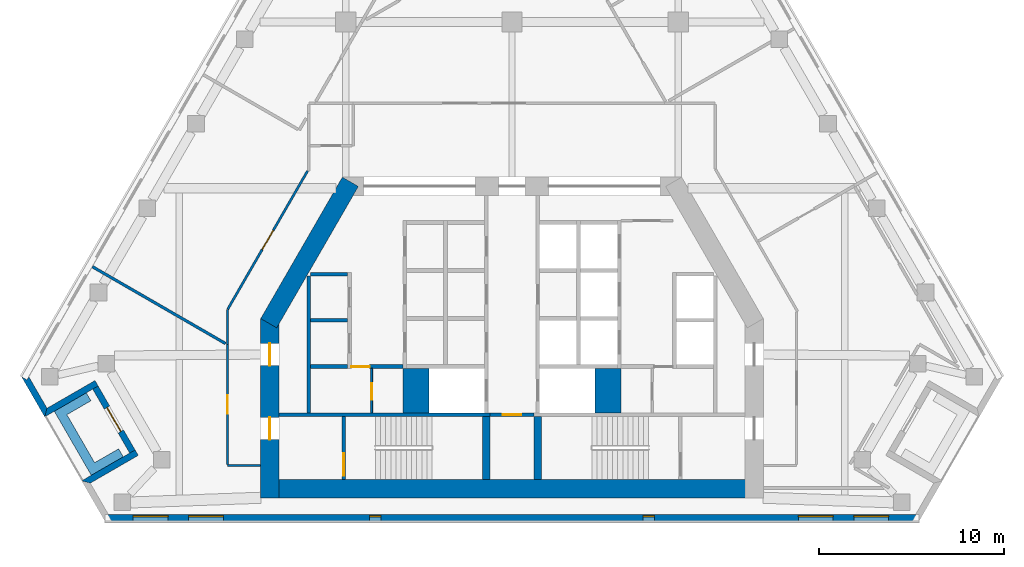
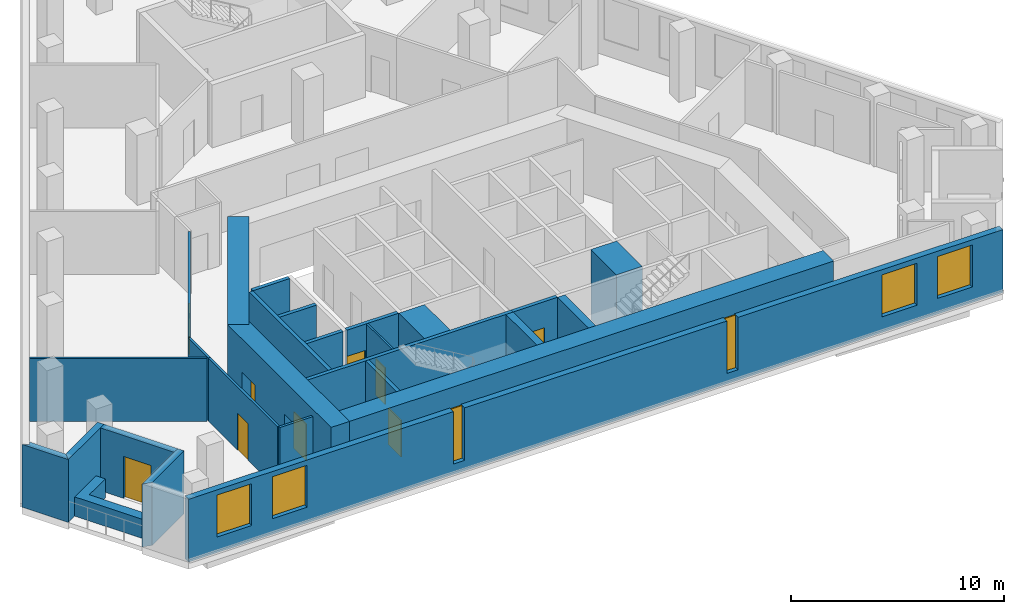
# One storey, part 2 of 8: 27 walls, 9 doors, 6 windows, 15 openings.
"""IFC4 building model written with IfcOpenShell, lengths in metres."""

from ifc_helpers import new_model, si_unit, direction, frame, frame_2d, origin, place, context, subcontext, project, spatial, polyline, rectangle, outline, extrude, material, layer, layer_set, type_object, element, fill, save


model = new_model("IFC4")

# Units and contexts
model_context = context("Model", 3, precision=1e-05, world=origin(), true_north=direction((0.0, 1.0)))
body_context = subcontext(model_context, "Body", "Model", "MODEL_VIEW")
ifc_project = project(units=[si_unit("LENGTHUNIT", "METRE"), si_unit("AREAUNIT", "SQUARE_METRE"), si_unit("VOLUMEUNIT", "CUBIC_METRE"), si_unit("PLANEANGLEUNIT", "RADIAN"), si_unit("MASSUNIT", "GRAM", prefix="KILO")], contexts=[model_context])

# Site, building, storey
site_placement = place(None, origin())
site = spatial("IfcSite", under=ifc_project, at=site_placement, CompositionType="ELEMENT")
building_placement = place(site_placement, origin())
building = spatial("IfcBuilding", under=site, at=building_placement, Name="Fogline Exchange Tower", CompositionType="ELEMENT")
storey_placement = place(building_placement, frame((0.0, 0.0, 243.5)))
storey = spatial("IfcBuildingStorey", under=building, at=storey_placement, Name="L55", CompositionType="ELEMENT", Elevation=243.5)

# Wall, opening, door
ifc_material_1 = material(Name="Blockwork partition", Category="masonry")
ifc_layer_1 = layer(ifc_material_1, 0.10009765625)
ifc_layer_set_1 = layer_set([ifc_layer_1], Name="CW10")
wall_type_1 = type_object("IfcWallType", Name="CW10", PredefinedType="PARTITIONING", material=ifc_layer_set_1)
wall_1_placement = place(storey_placement, frame((-7.60009765625, 5.85009765625, 0.0), z_axis=(0.0, 0.0, 1.0), x_axis=(0.0, 1.0, 0.0)))
wall_1 = element("IfcWall", 1, at=wall_1_placement, inside=storey, type_object=wall_type_1, Name="WC partition", PredefinedType="PARTITIONING", context=body_context, shape_type="SweptSolid", body=[
    extrude(rectangle(XDim=2.39990234375, YDim=0.10009765625, at=frame_2d((1.199951171875, 0.0))), origin(), (0.0, 0.0, 1.0), 3.60009765625),
])
opening_1_placement = place(wall_1_placement, frame((0.699951171875, 0.0, 0.0)))
opening_1 = element("IfcOpeningElement", 2, at=opening_1_placement, cuts=wall_1, Name="Opening T17-C012", PredefinedType="OPENING", context=body_context, shape_type="SweptSolid", body=[
    extrude(rectangle(XDim=0.89990234375, YDim=2.10009765625, at=frame_2d((0.449951171875, 1.050048828125))), frame((0.0, 0.06005859375, 0.0), z_axis=(0.0, -1.0, 0.0), x_axis=(1.0, 0.0, 0.0)), (0.0, 0.0, 1.0), 0.1201171875),
])
ifc_material_2 = material(Name="Steel and timber fire door", Category="steel")
door_type_1 = type_object("IfcDoorType", Name="D-CS1", OperationType="SINGLE_SWING_RIGHT", PredefinedType="DOOR", material=ifc_material_2)
door_1_placement = place(opening_1_placement, frame((0.89990234375, 0.0, 0.0), z_axis=(0.0, 0.0, 1.0), x_axis=(-1.0, 0.0, 0.0)))
door_1 = element("IfcDoor", 3, at=door_1_placement, inside=storey, type_object=door_type_1, Name="Door to Cleaner's Store", OperationType="SINGLE_SWING_RIGHT", OverallHeight=2.10009765625, OverallWidth=0.89990234375, PredefinedType="DOOR", context=body_context, shape_type="SweptSolid", body=[
    extrude(rectangle(XDim=0.89990234375, YDim=2.10009765625, at=frame_2d((0.449951171875, 1.050048828125))), frame((0.0, 0.02490234375, 0.0), z_axis=(0.0, -1.0, 0.0), x_axis=(1.0, 0.0, 0.0)), (0.0, 0.0, 1.0), 0.050048828125),
])
fill(opening_1, door_1)

# Walls
ifc_material_3 = material(Name="Concrete C60", Category="concrete")
ifc_layer_2 = layer(ifc_material_3, 1.39990234375)
ifc_layer_set_2 = layer_set([ifc_layer_2], Name="CW140")
wall_type_2 = type_object("IfcWallType", Name="CW140", PredefinedType="SOLIDWALL", material=ifc_layer_set_2)
for number, where, z_axis, x_axis, name in (
    (4, (-5.199951171875, 5.85009765625, -0.39990234375), (0.0, 0.0, 1.0), (0.0, 1.0, 0.0), "Lift shaft block wall"),
    (5, (5.199951171875, 5.85009765625, -0.39990234375), (0.0, 0.0, 1.0), (0.0, 1.0, 0.0), "Lift shaft block wall"),
):
    element("IfcWall", number, at=place(storey_placement, frame(where, z_axis=z_axis, x_axis=x_axis)), inside=storey, type_object=wall_type_2, Name=name, PredefinedType="SOLIDWALL", context=body_context, shape_type="SweptSolid", body=[
        extrude(rectangle(XDim=2.39990234375, YDim=1.39990234375, at=frame_2d((1.199951171875, 0.0))), origin(), (0.0, 0.0, 1.0), 4.0),
    ])
ifc_material_4 = material(Name="Concrete C40", Category="concrete")
ifc_layer_3 = layer(ifc_material_4, 0.199951171875)
ifc_layer_set_3 = layer_set([ifc_layer_3], Name="CW20")
wall_type_3 = type_object("IfcWallType", Name="CW20", PredefinedType="SOLIDWALL", material=ifc_layer_set_3)
wall_2_placement = place(storey_placement, frame((-11.0, 5.85009765625, 0.0), z_axis=(0.0, 0.0, 1.0), x_axis=(0.0, 1.0, 0.0)))
element("IfcWall", 6, at=wall_2_placement, inside=storey, type_object=wall_type_3, Name="Service room wall", PredefinedType="SOLIDWALL", context=body_context, shape_type="SweptSolid", body=[
    extrude(rectangle(XDim=7.39990234375, YDim=0.199951171875, at=frame_2d((3.699951171875, 0.0))), origin(), (0.0, 0.0, 1.0), 3.60009765625),
])
wall_3_placement = place(storey_placement, frame((-10.89990234375, 10.85009765625, 0.0), z_axis=(0.0, 0.0, 1.0), x_axis=(1.0, 0.0, 0.0)))
element("IfcWall", 7, at=wall_3_placement, inside=storey, type_object=wall_type_3, Name="Service room wall", PredefinedType="SOLIDWALL", context=body_context, shape_type="SweptSolid", body=[
    extrude(rectangle(XDim=2.0, YDim=0.199951171875, at=frame_2d((1.0, 0.0))), origin(), (0.0, 0.0, 1.0), 3.60009765625),
])

# Wall, opening, door
wall_4_placement = place(storey_placement, frame((-8.699951171875, 8.35009765625, 0.0), z_axis=(0.0, 0.0, 1.0), x_axis=(1.0, 0.0, 0.0)))
wall_4 = element("IfcWall", 8, at=wall_4_placement, inside=storey, type_object=wall_type_3, Name="WC wall", PredefinedType="SOLIDWALL", context=body_context, shape_type="SweptSolid", body=[
    extrude(rectangle(XDim=2.800048828125, YDim=0.199951171875, at=frame_2d((1.39990234375, 0.0))), origin(), (0.0, 0.0, 1.0), 3.60009765625),
])
opening_2_placement = place(wall_4_placement, origin())
opening_2 = element("IfcOpeningElement", 9, at=opening_2_placement, cuts=wall_4, Name="Opening T17-C011", PredefinedType="OPENING", context=body_context, shape_type="SweptSolid", body=[
    extrude(rectangle(XDim=1.0, YDim=2.10009765625, at=frame_2d((0.5, 1.050048828125))), frame((0.0, 0.10986328125, 0.0), z_axis=(0.0, -1.0, 0.0), x_axis=(1.0, 0.0, 0.0)), (0.0, 0.0, 1.0), 0.219970703125),
])
door_type_2 = type_object("IfcDoorType", Name="D-WC1", OperationType="SINGLE_SWING_LEFT", PredefinedType="DOOR", material=ifc_material_2)
door_2_placement = place(opening_2_placement, frame((1.0, 0.0, 0.0), z_axis=(0.0, 0.0, 1.0), x_axis=(-1.0, 0.0, 0.0)))
door_2 = element("IfcDoor", 10, at=door_2_placement, inside=storey, type_object=door_type_2, Name="Door to Men's WC", OperationType="SINGLE_SWING_LEFT", OverallHeight=2.10009765625, OverallWidth=1.0, PredefinedType="DOOR", context=body_context, shape_type="SweptSolid", body=[
    extrude(rectangle(XDim=1.0, YDim=2.10009765625, at=frame_2d((0.5, 1.050048828125))), frame((0.0, 0.02490234375, 0.0), z_axis=(0.0, -1.0, 0.0), x_axis=(1.0, 0.0, 0.0)), (0.0, 0.0, 1.0), 0.050048828125),
])
fill(opening_2, door_2)

# Wall
ifc_layer_4 = layer(ifc_material_4, 0.199951171875)
ifc_layer_set_4 = layer_set([ifc_layer_4], Name="CW20R")
wall_type_4 = type_object("IfcWallType", Name="CW20R", PredefinedType="SOLIDWALL", material=ifc_layer_set_4)
wall_5_placement = place(storey_placement, frame((-12.60009765625, 5.75, -0.39990234375), z_axis=(0.0, 0.0, 1.0), x_axis=(1.0, 0.0, 0.0)))
element("IfcWall", 11, at=wall_5_placement, inside=storey, type_object=wall_type_4, Name="Stair enclosure wall", PredefinedType="SOLIDWALL", context=body_context, shape_type="SweptSolid", body=[
    extrude(rectangle(XDim=11.400146484375, YDim=0.199951171875, at=frame_2d((5.7001953125, 0.0))), origin(), (0.0, 0.0, 1.0), 4.0),
])

# Wall, opening, door
wall_6_placement = place(storey_placement, frame((-1.199951171875, 5.75, -0.39990234375), z_axis=(0.0, 0.0, 1.0), x_axis=(1.0, 0.0, 0.0)))
wall_6 = element("IfcWall", 12, at=wall_6_placement, inside=storey, type_object=wall_type_4, Name="Stair enclosure wall", PredefinedType="SOLIDWALL", context=body_context, shape_type="SweptSolid", body=[
    extrude(rectangle(XDim=2.39990234375, YDim=0.199951171875, at=frame_2d((1.199951171875, 0.0))), origin(), (0.0, 0.0, 1.0), 4.0),
])
opening_3_placement = place(wall_6_placement, frame((0.699951171875, 0.0, 0.39990234375)))
opening_3 = element("IfcOpeningElement", 13, at=opening_3_placement, cuts=wall_6, Name="Opening T17-C010", PredefinedType="OPENING", context=body_context, shape_type="SweptSolid", body=[
    extrude(rectangle(XDim=1.0, YDim=2.10009765625, at=frame_2d((0.5, 1.050048828125))), frame((0.0, 0.10986328125, 0.0), z_axis=(0.0, -1.0, 0.0), x_axis=(1.0, 0.0, 0.0)), (0.0, 0.0, 1.0), 0.219970703125),
])
door_type_3 = type_object("IfcDoorType", Name="D-RM1", OperationType="SINGLE_SWING_LEFT", PredefinedType="DOOR", material=ifc_material_2)
door_3_placement = place(opening_3_placement, frame((1.0, 0.0, 0.0), z_axis=(0.0, 0.0, 1.0), x_axis=(-1.0, 0.0, 0.0)))
door_3 = element("IfcDoor", 14, at=door_3_placement, inside=storey, type_object=door_type_3, Name="Door to Plant Room", OperationType="SINGLE_SWING_RIGHT", OverallHeight=2.10009765625, OverallWidth=1.0, PredefinedType="DOOR", context=body_context, shape_type="SweptSolid", body=[
    extrude(rectangle(XDim=1.0, YDim=2.10009765625, at=frame_2d((0.5, 1.050048828125))), frame((0.0, 0.02490234375, 0.0), z_axis=(0.0, -1.0, 0.0), x_axis=(1.0, 0.0, 0.0)), (0.0, 0.0, 1.0), 0.050048828125),
])
fill(opening_3, door_3)

wall_7_placement = place(storey_placement, frame((-9.10009765625, 2.25, -0.39990234375), z_axis=(0.0, 0.0, 1.0), x_axis=(0.0, 1.0, 0.0)))
wall_7 = element("IfcWall", 15, at=wall_7_placement, inside=storey, type_object=wall_type_4, Name="Stair enclosure wall", PredefinedType="SOLIDWALL", context=body_context, shape_type="SweptSolid", body=[
    extrude(rectangle(XDim=3.39990234375, YDim=0.199951171875, at=frame_2d((1.699951171875, 0.0))), origin(), (0.0, 0.0, 1.0), 4.0),
])
opening_4_placement = place(wall_7_placement, frame((0.199951171875, 0.0, 0.39990234375)))
opening_4 = element("IfcOpeningElement", 16, at=opening_4_placement, cuts=wall_7, Name="Opening T17-C014", PredefinedType="OPENING", context=body_context, shape_type="SweptSolid", body=[
    extrude(rectangle(XDim=1.199951171875, YDim=2.10009765625, at=frame_2d((0.60009765625, 1.050048828125))), frame((0.0, 0.10986328125, 0.0), z_axis=(0.0, -1.0, 0.0), x_axis=(1.0, 0.0, 0.0)), (0.0, 0.0, 1.0), 0.219970703125),
])
door_type_4 = type_object("IfcDoorType", Name="D-ST1", OperationType="SINGLE_SWING_LEFT", PredefinedType="DOOR", material=ifc_material_2)
door_4_placement = place(opening_4_placement, frame((1.199951171875, 0.0, 0.0), z_axis=(0.0, 0.0, 1.0), x_axis=(-1.0, 0.0, 0.0)))
door_4 = element("IfcDoor", 17, at=door_4_placement, inside=storey, type_object=door_type_4, Name="Stair door ST1", OperationType="SINGLE_SWING_RIGHT", OverallHeight=2.10009765625, OverallWidth=1.199951171875, PredefinedType="DOOR", context=body_context, shape_type="SweptSolid", body=[
    extrude(rectangle(XDim=1.199951171875, YDim=2.10009765625, at=frame_2d((0.60009765625, 1.050048828125))), frame((0.0, 0.02490234375, 0.0), z_axis=(0.0, -1.0, 0.0), x_axis=(1.0, 0.0, 0.0)), (0.0, 0.0, 1.0), 0.050048828125),
])
fill(opening_4, door_4)

# Walls
ifc_layer_5 = layer(ifc_material_4, 0.199951171875)
ifc_layer_set_5 = layer_set([ifc_layer_5], Name="CW20S")
wall_type_5 = type_object("IfcWallType", Name="CW20S", PredefinedType="SOLIDWALL", material=ifc_layer_set_5)
for number, where, z_axis, x_axis, name in (
    (18, (-10.89990234375, 8.35009765625, -0.39990234375), (0.0, 0.0, 1.0), (1.0, 0.0, 0.0), "Lift shaft wall"),
    (19, (-10.89990234375, 13.35009765625, -0.39990234375), (0.0, 0.0, 1.0), (1.0, 0.0, 0.0), "Lift shaft wall"),
):
    element("IfcWall", number, at=place(storey_placement, frame(where, z_axis=z_axis, x_axis=x_axis)), inside=storey, type_object=wall_type_5, Name=name, PredefinedType="SOLIDWALL", context=body_context, shape_type="SweptSolid", body=[
        extrude(rectangle(XDim=2.0, YDim=0.199951171875, at=frame_2d((1.0, 0.0))), origin(), (0.0, 0.0, 1.0), 4.0),
    ])
ifc_layer_6 = layer(ifc_material_4, 0.39990234375)
ifc_layer_set_6 = layer_set([ifc_layer_6], Name="CW40R")
wall_type_6 = type_object("IfcWallType", Name="CW40R", PredefinedType="SOLIDWALL", material=ifc_layer_set_6)
for number, where, z_axis, x_axis, name in (
    (20, (-1.39990234375, 2.25, -0.39990234375), (0.0, 0.0, 1.0), (0.0, 1.0, 0.0), "Stair and lift shaft wall"),
    (21, (1.39990234375, 2.25, -0.39990234375), (0.0, 0.0, 1.0), (0.0, 1.0, 0.0), "Stair and lift shaft wall"),
):
    element("IfcWall", number, at=place(storey_placement, frame(where, z_axis=z_axis, x_axis=x_axis)), inside=storey, type_object=wall_type_6, Name=name, PredefinedType="SOLIDWALL", context=body_context, shape_type="SweptSolid", body=[
        extrude(rectangle(XDim=3.39990234375, YDim=0.39990234375, at=frame_2d((1.699951171875, 0.0))), origin(), (0.0, 0.0, 1.0), 4.0),
    ])
ifc_material_5 = material(Name="Brick masonry", Category="masonry")
ifc_layer_7 = layer(ifc_material_5, 0.340087890625)
ifc_layer_set_7 = layer_set([ifc_layer_7], Name="FW1")
wall_type_7 = type_object("IfcWallType", Name="FW1", PredefinedType="SOLIDWALL", material=ifc_layer_set_7)
wall_8_placement = place(storey_placement, origin())
element("IfcWall", 22, at=wall_8_placement, inside=storey, type_object=wall_type_7, Name="Brick wall L55 SW-c1", PredefinedType="SOLIDWALL", context=body_context, shape_type="SweptSolid", body=[
    extrude(outline(polyline([(-25.291748046875, 5.6279296875), (-26.542724609375, 7.794921875), (-26.54248046875, 7.79541015625), (-26.24755859375, 7.625), (-26.149169921875, 7.79541015625), (-25.166748046875, 6.09375), (-25.29150390625, 5.6279296875), (-25.291748046875, 5.6279296875)])), origin(), (0.0, 0.0, 1.0), 3.60009765625),
])
wall_9_placement = place(storey_placement, origin())
element("IfcWall", 23, at=wall_9_placement, inside=storey, type_object=wall_type_7, Name="Brick wall L55 SW-s1", PredefinedType="SOLIDWALL", context=body_context, shape_type="SweptSolid", body=[
    extrude(outline(polyline([(-22.569091796875, 7.594482421875), (-22.3984375, 7.298828125), (-22.693359375, 7.128662109375), (-25.292236328125, 5.628173828125), (-25.29248046875, 5.62841796875), (-25.167724609375, 6.093994140625), (-22.569091796875, 7.594482421875)])), origin(), (0.0, 0.0, 1.0), 3.60009765625),
])

# Wall, opening, door
wall_10_placement = place(storey_placement, frame((-22.54638671875, 7.214111328125, 0.0), z_axis=(0.0, 0.0, 1.0), x_axis=(0.49999894854, -0.866026010844, 0.0)))
wall_10 = element("IfcWall", 24, at=wall_10_placement, inside=storey, type_object=wall_type_7, Name="Brick wall L55 SW-bk", PredefinedType="SOLIDWALL", context=body_context, shape_type="SweptSolid", body=[
    extrude(rectangle(XDim=4.0, YDim=0.340087890625, at=frame_2d((2.0, 0.0))), origin(), (0.0, 0.0, 1.0), 3.60009765625),
])
opening_5_placement = place(wall_10_placement, frame((1.25, 0.0, 0.0)))
opening_5 = element("IfcOpeningElement", 25, at=opening_5_placement, cuts=wall_10, Name="Opening T17-E021", PredefinedType="OPENING", context=body_context, shape_type="SweptSolid", body=[
    extrude(rectangle(XDim=1.5, YDim=2.39990234375, at=frame_2d((0.75, 1.199951171875))), frame((0.0, 0.18017578125, 0.0), z_axis=(0.0, -1.0, 0.0), x_axis=(1.0, 0.0, 0.0)), (0.0, 0.0, 1.0), 0.360107421875),
])
ifc_material_6 = material(Name="Aluminium and glass", Category="aluminium")
door_type_5 = type_object("IfcDoorType", Name="ED4", OperationType="SINGLE_SWING_LEFT", PredefinedType="DOOR", material=ifc_material_6)
door_5_placement = place(opening_5_placement, frame((1.5, 0.0, 0.0), z_axis=(0.0, 0.0, 1.0), x_axis=(-1.0, 0.0, 0.0)))
door_5 = element("IfcDoor", 26, at=door_5_placement, inside=storey, type_object=door_type_5, Name="Balcony door L55 SW", OperationType="DOUBLE_DOOR_SINGLE_SWING", OverallHeight=2.39990234375, OverallWidth=1.5, PredefinedType="DOOR", context=body_context, shape_type="SweptSolid", body=[
    extrude(rectangle(XDim=1.5, YDim=2.39990234375, at=frame_2d((0.75, 1.199951171875))), frame((0.0, 0.02490234375, 0.0), z_axis=(0.0, -1.0, 0.0), x_axis=(1.0, 0.0, 0.0)), (0.0, 0.0, 1.0), 0.050048828125),
])
fill(opening_5, door_5)

# Wall
wall_11_placement = place(storey_placement, origin())
element("IfcWall", 27, at=wall_11_placement, inside=storey, type_object=wall_type_7, Name="Brick wall L55 SW-s2", PredefinedType="SOLIDWALL", context=body_context, shape_type="SweptSolid", body=[
    extrude(outline(polyline([(-23.29296875, 2.1650390625), (-20.694091796875, 3.66552734375), (-20.39892578125, 3.8359375), (-20.228515625, 3.540283203125), (-22.8271484375, 2.0400390625), (-23.29296875, 2.164794921875), (-23.29296875, 2.1650390625)])), origin(), (0.0, 0.0, 1.0), 3.60009765625),
])

# Wall, openings, windows
wall_12_placement = place(storey_placement, frame((-22.041748046875, 0.169921875, 0.0), z_axis=(0.0, 0.0, 1.0), x_axis=(1.0, 0.0, 0.0)))
wall_12 = element("IfcWall", 28, at=wall_12_placement, inside=storey, type_object=wall_type_7, Name="Brick wall L55 S", PredefinedType="SOLIDWALL", context=body_context, shape_type="SweptSolid", body=[
    extrude(rectangle(XDim=44.08349609375, YDim=0.340087890625, at=frame_2d((22.041748046875, 0.0))), origin(), (0.0, 0.0, 1.0), 3.60009765625),
])
opening_6_placement = place(wall_12_placement, frame((1.541748046875, 0.0, 0.89990234375)))
opening_6 = element("IfcOpeningElement", 29, at=opening_6_placement, cuts=wall_12, Name="Opening W1", PredefinedType="OPENING", context=body_context, shape_type="SweptSolid", body=[
    extrude(rectangle(XDim=1.885009765625, YDim=2.39990234375, at=frame_2d((0.9423828125, 1.199951171875))), frame((0.0, 0.18017578125, 0.0), z_axis=(0.0, -1.0, 0.0), x_axis=(1.0, 0.0, 0.0)), (0.0, 0.0, 1.0), 0.360107421875),
])
opening_7_placement = place(wall_12_placement, frame((4.541748046875, 0.0, 0.89990234375)))
opening_7 = element("IfcOpeningElement", 30, at=opening_7_placement, cuts=wall_12, Name="Opening W1", PredefinedType="OPENING", context=body_context, shape_type="SweptSolid", body=[
    extrude(rectangle(XDim=1.885009765625, YDim=2.39990234375, at=frame_2d((0.9423828125, 1.199951171875))), frame((0.0, 0.18017578125, 0.0), z_axis=(0.0, -1.0, 0.0), x_axis=(1.0, 0.0, 0.0)), (0.0, 0.0, 1.0), 0.360107421875),
])
opening_8_placement = place(wall_12_placement, frame((37.541748046875, 0.0, 0.89990234375)))
opening_8 = element("IfcOpeningElement", 31, at=opening_8_placement, cuts=wall_12, Name="Opening W1", PredefinedType="OPENING", context=body_context, shape_type="SweptSolid", body=[
    extrude(rectangle(XDim=1.885009765625, YDim=2.39990234375, at=frame_2d((0.9423828125, 1.199951171875))), frame((0.0, 0.18017578125, 0.0), z_axis=(0.0, -1.0, 0.0), x_axis=(1.0, 0.0, 0.0)), (0.0, 0.0, 1.0), 0.360107421875),
])
opening_9_placement = place(wall_12_placement, frame((40.541748046875, 0.0, 0.89990234375)))
opening_9 = element("IfcOpeningElement", 32, at=opening_9_placement, cuts=wall_12, Name="Opening W1", PredefinedType="OPENING", context=body_context, shape_type="SweptSolid", body=[
    extrude(rectangle(XDim=1.885009765625, YDim=2.39990234375, at=frame_2d((0.9423828125, 1.199951171875))), frame((0.0, 0.18017578125, 0.0), z_axis=(0.0, -1.0, 0.0), x_axis=(1.0, 0.0, 0.0)), (0.0, 0.0, 1.0), 0.360107421875),
])
opening_10_placement = place(wall_12_placement, frame((14.341796875, 0.0, 0.60009765625)))
opening_10 = element("IfcOpeningElement", 33, at=opening_10_placement, cuts=wall_12, Name="Opening W5", PredefinedType="OPENING", context=body_context, shape_type="SweptSolid", body=[
    extrude(rectangle(XDim=0.60009765625, YDim=3.0, at=frame_2d((0.300048828125, 1.5))), frame((0.0, 0.18017578125, 0.0), z_axis=(0.0, -1.0, 0.0), x_axis=(1.0, 0.0, 0.0)), (0.0, 0.0, 1.0), 0.360107421875),
])
opening_11_placement = place(wall_12_placement, frame((29.141845703125, 0.0, 0.60009765625)))
opening_11 = element("IfcOpeningElement", 34, at=opening_11_placement, cuts=wall_12, Name="Opening W5", PredefinedType="OPENING", context=body_context, shape_type="SweptSolid", body=[
    extrude(rectangle(XDim=0.60009765625, YDim=3.0, at=frame_2d((0.300048828125, 1.5))), frame((0.0, 0.18017578125, 0.0), z_axis=(0.0, -1.0, 0.0), x_axis=(1.0, 0.0, 0.0)), (0.0, 0.0, 1.0), 0.360107421875),
])
window_type_1 = type_object("IfcWindowType", Name="W1", PartitioningType="SINGLE_PANEL", PredefinedType="WINDOW", material=ifc_material_6)
window_1_placement = place(opening_6_placement, origin())
window_1 = element("IfcWindow", 35, at=window_1_placement, inside=storey, type_object=window_type_1, Name="W1 W1", OverallHeight=2.39990234375, OverallWidth=1.885009765625, PartitioningType="SINGLE_PANEL", PredefinedType="WINDOW", context=body_context, shape_type="SweptSolid", body=[
    extrude(rectangle(XDim=1.885009765625, YDim=2.39990234375, at=frame_2d((0.9423828125, 1.199951171875))), frame((0.0, 0.110107421875, 0.0), z_axis=(0.0, -1.0, 0.0), x_axis=(1.0, 0.0, 0.0)), (0.0, 0.0, 1.0), 0.06005859375),
])
fill(opening_6, window_1)
window_2_placement = place(opening_7_placement, origin())
window_2 = element("IfcWindow", 36, at=window_2_placement, inside=storey, type_object=window_type_1, Name="W1 W1", OverallHeight=2.39990234375, OverallWidth=1.885009765625, PartitioningType="SINGLE_PANEL", PredefinedType="WINDOW", context=body_context, shape_type="SweptSolid", body=[
    extrude(rectangle(XDim=1.885009765625, YDim=2.39990234375, at=frame_2d((0.9423828125, 1.199951171875))), frame((0.0, 0.110107421875, 0.0), z_axis=(0.0, -1.0, 0.0), x_axis=(1.0, 0.0, 0.0)), (0.0, 0.0, 1.0), 0.06005859375),
])
fill(opening_7, window_2)
window_3_placement = place(opening_8_placement, origin())
window_3 = element("IfcWindow", 37, at=window_3_placement, inside=storey, type_object=window_type_1, Name="W1 W1", OverallHeight=2.39990234375, OverallWidth=1.885009765625, PartitioningType="SINGLE_PANEL", PredefinedType="WINDOW", context=body_context, shape_type="SweptSolid", body=[
    extrude(rectangle(XDim=1.885009765625, YDim=2.39990234375, at=frame_2d((0.9423828125, 1.199951171875))), frame((0.0, 0.110107421875, 0.0), z_axis=(0.0, -1.0, 0.0), x_axis=(1.0, 0.0, 0.0)), (0.0, 0.0, 1.0), 0.06005859375),
])
fill(opening_8, window_3)
window_4_placement = place(opening_9_placement, origin())
window_4 = element("IfcWindow", 38, at=window_4_placement, inside=storey, type_object=window_type_1, Name="W1 W1", OverallHeight=2.39990234375, OverallWidth=1.885009765625, PartitioningType="SINGLE_PANEL", PredefinedType="WINDOW", context=body_context, shape_type="SweptSolid", body=[
    extrude(rectangle(XDim=1.885009765625, YDim=2.39990234375, at=frame_2d((0.9423828125, 1.199951171875))), frame((0.0, 0.110107421875, 0.0), z_axis=(0.0, -1.0, 0.0), x_axis=(1.0, 0.0, 0.0)), (0.0, 0.0, 1.0), 0.06005859375),
])
fill(opening_9, window_4)
window_type_2 = type_object("IfcWindowType", Name="W5", PartitioningType="SINGLE_PANEL", PredefinedType="WINDOW", material=ifc_material_6)
window_5_placement = place(opening_10_placement, origin())
window_5 = element("IfcWindow", 39, at=window_5_placement, inside=storey, type_object=window_type_2, Name="W5 W5", OverallHeight=3.0, OverallWidth=0.60009765625, PartitioningType="SINGLE_PANEL", PredefinedType="WINDOW", context=body_context, shape_type="SweptSolid", body=[
    extrude(rectangle(XDim=0.60009765625, YDim=3.0, at=frame_2d((0.300048828125, 1.5))), frame((0.0, 0.110107421875, 0.0), z_axis=(0.0, -1.0, 0.0), x_axis=(1.0, 0.0, 0.0)), (0.0, 0.0, 1.0), 0.06005859375),
])
fill(opening_10, window_5)
window_6_placement = place(opening_11_placement, origin())
window_6 = element("IfcWindow", 40, at=window_6_placement, inside=storey, type_object=window_type_2, Name="W5 W5", OverallHeight=3.0, OverallWidth=0.60009765625, PartitioningType="SINGLE_PANEL", PredefinedType="WINDOW", context=body_context, shape_type="SweptSolid", body=[
    extrude(rectangle(XDim=0.60009765625, YDim=3.0, at=frame_2d((0.300048828125, 1.5))), frame((0.0, 0.110107421875, 0.0), z_axis=(0.0, -1.0, 0.0), x_axis=(1.0, 0.0, 0.0)), (0.0, 0.0, 1.0), 0.06005859375),
])
fill(opening_11, window_6)

# Walls
ifc_material_7 = material(Name="Concrete C30", Category="concrete")
ifc_layer_8 = layer(ifc_material_7, 0.199951171875)
ifc_layer_set_8 = layer_set([ifc_layer_8], Name="PL1")
wall_type_8 = type_object("IfcWallType", Name="PL1", PredefinedType="USERDEFINED", material=ifc_layer_set_8)
wall_13_placement = place(storey_placement, origin())
element("IfcWall", 41, at=wall_13_placement, inside=storey, type_object=wall_type_8, Name="PLANTER balcony L55 SW", ObjectType="PLANTER", PredefinedType="USERDEFINED", context=body_context, shape_type="SweptSolid", body=[
    extrude(outline(polyline([(-21.2900390625, 3.898193359375), (-22.589111328125, 3.148193359375), (-24.089111328125, 5.74609375), (-22.7900390625, 6.49609375), (-23.0400390625, 6.92919921875), (-24.772216796875, 5.92919921875), (-24.522216796875, 5.49609375), (-22.772216796875, 2.465087890625), (-22.339111328125, 2.715087890625), (-22.339111328125, 2.715087890625), (-21.0400390625, 3.465087890625), (-21.2900390625, 3.898193359375)])), origin(), (0.0, 0.0, 1.0), 1.10009765625),
])
ifc_material_8 = material(Name="Plasterboard corridor partition with mineral wool, 2 layers each side")
ifc_layer_9 = layer(ifc_material_8, 0.125)
ifc_layer_set_9 = layer_set([ifc_layer_9], Name="PW2")
wall_type_9 = type_object("IfcWallType", Name="PW2", PredefinedType="PARTITIONING", material=ifc_layer_set_9)
wall_14_placement = place(storey_placement, frame((-15.39990234375, 9.534912109375, 0.0), z_axis=(0.0, 0.0, 1.0), x_axis=(0.0, 1.0, 0.0)))
element("IfcWall", 42, at=wall_14_placement, inside=storey, type_object=wall_type_9, Name="wall-L55-W011", PredefinedType="PARTITIONING", context=body_context, shape_type="SweptSolid", body=[
    extrude(rectangle(XDim=1.892822265625, YDim=0.125, at=frame_2d((0.9462890625, 0.0))), origin(), (0.0, 0.0, 1.0), 3.60009765625),
])

# Wall, opening, door
wall_15_placement = place(storey_placement, frame((-15.384521484375, 11.454833984375, 0.0), z_axis=(0.0, 0.0, 1.0), x_axis=(0.500018289754, 0.866014843933, 0.0)))
wall_15 = element("IfcWall", 43, at=wall_15_placement, inside=storey, type_object=wall_type_9, Name="wall-L55-W012", PredefinedType="PARTITIONING", context=body_context, shape_type="SweptSolid", body=[
    extrude(rectangle(XDim=8.643798828125, YDim=0.125, at=frame_2d((4.32177734375, 0.0))), origin(), (0.0, 0.0, 1.0), 3.60009765625),
])
opening_12_placement = place(wall_15_placement, frame((3.721923828125, 0.0, 0.0)))
opening_12 = element("IfcOpeningElement", 44, at=opening_12_placement, cuts=wall_15, Name="Opening T17-D005", PredefinedType="OPENING", context=body_context, shape_type="SweptSolid", body=[
    extrude(rectangle(XDim=1.199951171875, YDim=2.10009765625, at=frame_2d((0.60009765625, 1.050048828125))), frame((0.0, 0.072509765625, 0.0), z_axis=(0.0, -1.0, 0.0), x_axis=(1.0, 0.0, 0.0)), (0.0, 0.0, 1.0), 0.14501953125),
])
ifc_material_9 = material(Name="Fire-rated glazed door leaf with steel frame", Category="steel")
door_type_6 = type_object("IfcDoorType", Name="D5", OperationType="SINGLE_SWING_LEFT", PredefinedType="DOOR", material=ifc_material_9)
door_6_placement = place(opening_12_placement, origin())
door_6 = element("IfcDoor", 45, at=door_6_placement, inside=storey, type_object=door_type_6, Name="door-L55-D005", OperationType="SINGLE_SWING_RIGHT", OverallHeight=2.10009765625, OverallWidth=1.199951171875, PredefinedType="DOOR", context=body_context, shape_type="SweptSolid", body=[
    extrude(rectangle(XDim=1.199951171875, YDim=2.10009765625, at=frame_2d((0.60009765625, 1.050048828125))), frame((0.0, 0.02490234375, 0.0), z_axis=(0.0, -1.0, 0.0), x_axis=(1.0, 0.0, 0.0)), (0.0, 0.0, 1.0), 0.050048828125),
])
fill(opening_12, door_6)

# Wall
wall_16_placement = place(storey_placement, frame((-13.60009765625, 3.0, 0.0), z_axis=(0.0, 0.0, 1.0), x_axis=(-1.0, 0.0, 0.0)))
element("IfcWall", 46, at=wall_16_placement, inside=storey, type_object=wall_type_9, Name="wall-L55-W013", PredefinedType="PARTITIONING", context=body_context, shape_type="SweptSolid", body=[
    extrude(rectangle(XDim=1.7998046875, YDim=0.125, at=frame_2d((0.89990234375, 0.0))), origin(), (0.0, 0.0, 1.0), 3.60009765625),
])

# Wall, opening, door
wall_17_placement = place(storey_placement, frame((-15.39990234375, 3.0625, 0.0), z_axis=(0.0, 0.0, 1.0), x_axis=(0.0, 1.0, 0.0)))
wall_17 = element("IfcWall", 47, at=wall_17_placement, inside=storey, type_object=wall_type_9, Name="wall-L55-W014", PredefinedType="PARTITIONING", context=body_context, shape_type="SweptSolid", body=[
    extrude(rectangle(XDim=6.472412109375, YDim=0.125, at=frame_2d((3.236328125, 0.0))), origin(), (0.0, 0.0, 1.0), 3.60009765625),
])
opening_13_placement = place(wall_17_placement, frame((2.736083984375, 0.0, 0.0)))
opening_13 = element("IfcOpeningElement", 48, at=opening_13_placement, cuts=wall_17, Name="Opening T17-D006", PredefinedType="OPENING", context=body_context, shape_type="SweptSolid", body=[
    extrude(rectangle(XDim=1.0, YDim=2.10009765625, at=frame_2d((0.5, 1.050048828125))), frame((0.0, 0.072509765625, 0.0), z_axis=(0.0, -1.0, 0.0), x_axis=(1.0, 0.0, 0.0)), (0.0, 0.0, 1.0), 0.14501953125),
])
ifc_material_10 = material(Name="Fire-rated timber door leaf with steel frame", Category="steel")
door_type_7 = type_object("IfcDoorType", Name="D3", OperationType="SINGLE_SWING_LEFT", PredefinedType="DOOR", material=ifc_material_10)
door_7_placement = place(opening_13_placement, origin())
door_7 = element("IfcDoor", 49, at=door_7_placement, inside=storey, type_object=door_type_7, Name="door-L55-D006", OperationType="SINGLE_SWING_LEFT", OverallHeight=2.10009765625, OverallWidth=1.0, PredefinedType="DOOR", context=body_context, shape_type="SweptSolid", body=[
    extrude(rectangle(XDim=1.0, YDim=2.10009765625, at=frame_2d((0.5, 1.050048828125))), frame((0.0, 0.02490234375, 0.0), z_axis=(0.0, -1.0, 0.0), x_axis=(1.0, 0.0, 0.0)), (0.0, 0.0, 1.0), 0.050048828125),
])
fill(opening_13, door_7)

# Walls
ifc_material_11 = material(Name="Plasterboard demising partition with mineral wool and acoustic board")
ifc_layer_10 = layer(ifc_material_11, 0.14990234375)
ifc_layer_set_10 = layer_set([ifc_layer_10], Name="PW3")
wall_type_10 = type_object("IfcWallType", Name="PW3", PredefinedType="PARTITIONING", material=ifc_layer_set_10)
wall_18_placement = place(storey_placement, frame((-15.50048828125, 9.593017578125, 0.0), z_axis=(0.0, 0.0, 1.0), x_axis=(-0.866019492669, 0.500010238213, 0.0)))
element("IfcWall", 50, at=wall_18_placement, inside=storey, type_object=wall_type_10, Name="wall-L55-W034", PredefinedType="PARTITIONING", context=body_context, shape_type="SweptSolid", body=[
    extrude(rectangle(XDim=8.322509765625, YDim=0.14990234375, at=frame_2d((4.1611328125, 0.0))), origin(), (0.0, 0.0, 1.0), 3.60009765625),
])
ifc_layer_11 = layer(ifc_material_3, 1.0)
ifc_layer_set_11 = layer_set([ifc_layer_11], Name="SW03")
wall_type_11 = type_object("IfcWallType", Name="SW03", PredefinedType="SHEAR", material=ifc_layer_set_11)
wall_19_placement = place(storey_placement, frame((-13.60009765625, 1.75, 0.0), z_axis=(0.0, 0.0, 1.0), x_axis=(1.0, 0.0, 0.0)))
element("IfcWall", 51, at=wall_19_placement, inside=storey, type_object=wall_type_11, Name="L55-W901", PredefinedType="SHEAR", context=body_context, shape_type="SweptSolid", body=[
    extrude(rectangle(XDim=27.2001953125, YDim=1.0, at=frame_2d((13.60009765625, 0.0))), origin(), (0.0, 0.0, 1.0), 4.0),
])
wall_20_placement = place(storey_placement, frame((-8.74755859375, 18.35009765625, 0.0), z_axis=(0.0, 0.0, 1.0), x_axis=(-0.499995021168, -0.866028278295, 0.0)))
element("IfcWall", 52, at=wall_20_placement, inside=storey, type_object=wall_type_11, Name="L55-W905", PredefinedType="SHEAR", context=body_context, shape_type="SweptSolid", body=[
    extrude(rectangle(XDim=8.8388671875, YDim=1.0, at=frame_2d((4.41943359375, 0.0))), origin(), (0.0, 0.0, 1.0), 4.0),
])

# Wall, openings, doors
wall_21_placement = place(storey_placement, frame((-13.10009765625, 10.9453125, 0.0), z_axis=(0.0, 0.0, 1.0), x_axis=(0.0, -1.0, 0.0)))
wall_21 = element("IfcWall", 53, at=wall_21_placement, inside=storey, type_object=wall_type_11, Name="L55-W906", PredefinedType="SHEAR", context=body_context, shape_type="SweptSolid", body=[
    extrude(rectangle(XDim=9.6953125, YDim=1.0, at=frame_2d((4.84765625, 0.0))), origin(), (0.0, 0.0, 1.0), 4.0),
])
opening_14_placement = place(wall_21_placement, frame((5.345458984375, 0.0, 0.0)))
opening_14 = element("IfcOpeningElement", 54, at=opening_14_placement, cuts=wall_21, Name="Opening T17-C013", PredefinedType="OPENING", context=body_context, shape_type="SweptSolid", body=[
    extrude(rectangle(XDim=1.199951171875, YDim=2.10009765625, at=frame_2d((0.60009765625, 1.050048828125))), frame((0.0, 0.510009765625, 0.0), z_axis=(0.0, -1.0, 0.0), x_axis=(1.0, 0.0, 0.0)), (0.0, 0.0, 1.0), 1.02001953125),
])
opening_15_placement = place(wall_21_placement, frame((1.345458984375, 0.0, 0.0)))
opening_15 = element("IfcOpeningElement", 55, at=opening_15_placement, cuts=wall_21, Name="Opening T17-C015", PredefinedType="OPENING", context=body_context, shape_type="SweptSolid", body=[
    extrude(rectangle(XDim=1.199951171875, YDim=2.10009765625, at=frame_2d((0.60009765625, 1.050048828125))), frame((0.0, 0.510009765625, 0.0), z_axis=(0.0, -1.0, 0.0), x_axis=(1.0, 0.0, 0.0)), (0.0, 0.0, 1.0), 1.02001953125),
])
door_type_8 = type_object("IfcDoorType", Name="D-FR1", OperationType="SINGLE_SWING_RIGHT", PredefinedType="DOOR", material=ifc_material_2)
door_8_placement = place(opening_14_placement, origin())
door_8 = element("IfcDoor", 56, at=door_8_placement, inside=storey, type_object=door_type_8, Name="Front room door ST1", OperationType="SINGLE_SWING_LEFT", OverallHeight=2.10009765625, OverallWidth=1.199951171875, PredefinedType="DOOR", context=body_context, shape_type="SweptSolid", body=[
    extrude(rectangle(XDim=1.199951171875, YDim=2.10009765625, at=frame_2d((0.60009765625, 1.050048828125))), frame((0.0, 0.02490234375, 0.0), z_axis=(0.0, -1.0, 0.0), x_axis=(1.0, 0.0, 0.0)), (0.0, 0.0, 1.0), 0.050048828125),
])
fill(opening_14, door_8)
door_type_9 = type_object("IfcDoorType", Name="D-SV1", OperationType="SINGLE_SWING_LEFT", PredefinedType="DOOR", material=ifc_material_2)
door_9_placement = place(opening_15_placement, origin())
door_9 = element("IfcDoor", 57, at=door_9_placement, inside=storey, type_object=door_type_9, Name="Service door W", OperationType="SINGLE_SWING_LEFT", OverallHeight=2.10009765625, OverallWidth=1.199951171875, PredefinedType="DOOR", context=body_context, shape_type="SweptSolid", body=[
    extrude(rectangle(XDim=1.199951171875, YDim=2.10009765625, at=frame_2d((0.60009765625, 1.050048828125))), frame((0.0, 0.02490234375, 0.0), z_axis=(0.0, -1.0, 0.0), x_axis=(1.0, 0.0, 0.0)), (0.0, 0.0, 1.0), 0.050048828125),
])
fill(opening_15, door_9)

save(model, "model.ifc")
